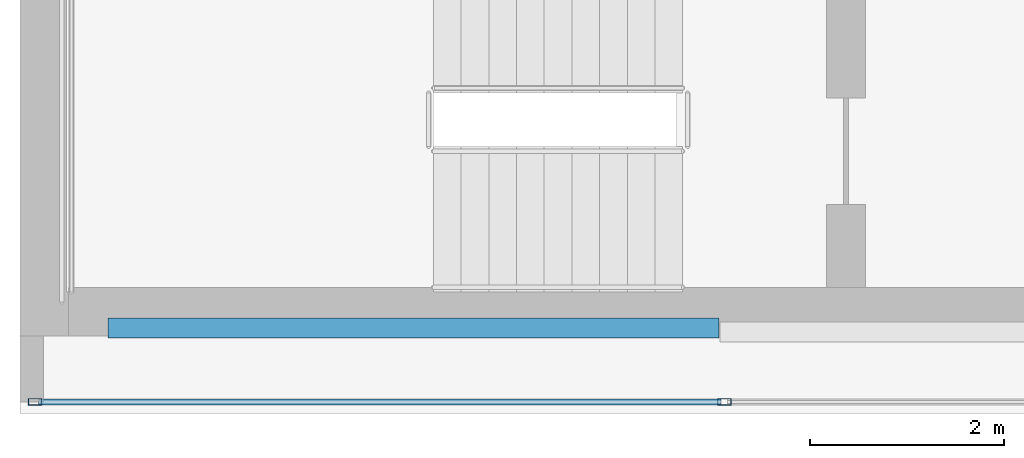
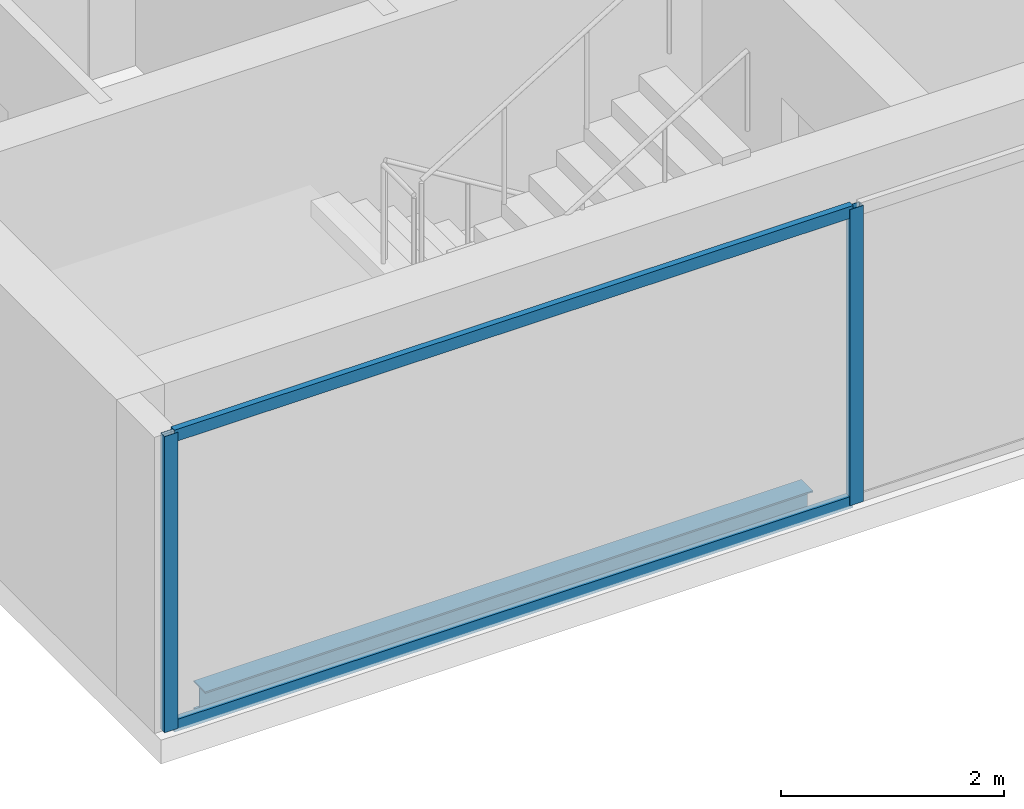
# One storey, part 2 of 23: 4 members, 1 beam, 1 element without a shape of its own.
"""IFC4 building model written with IfcOpenShell, lengths in metres."""

from ifc_helpers import new_model, si_unit, direction, frame, origin, origin_2d, place, context, subcontext, project, spatial, hollow_rectangle, i_section, extrude, material, material_profile, profile_set, type_object, element, aggregate, save


model = new_model("IFC4")

# Units and contexts
model_context = context("Model", 3, precision=1e-05, world=origin(), true_north=direction((0.0, 1.0)))
body_context = subcontext(model_context, "Body", "Model", "MODEL_VIEW")
ifc_project = project(units=[si_unit("LENGTHUNIT", "METRE"), si_unit("AREAUNIT", "SQUARE_METRE"), si_unit("VOLUMEUNIT", "CUBIC_METRE"), si_unit("PLANEANGLEUNIT", "RADIAN"), si_unit("MASSUNIT", "GRAM", prefix="KILO")], contexts=[model_context])

# Site, building, storey
site_placement = place(None, origin())
site = spatial("IfcSite", under=ifc_project, at=site_placement, CompositionType="ELEMENT")
building_placement = place(site_placement, origin())
building = spatial("IfcBuilding", under=site, at=building_placement, Name="Cobrela Telecom Tower", CompositionType="ELEMENT")
storey_placement = place(building_placement, frame((0.0, 0.0, 265.64990234375)))
storey = spatial("IfcBuildingStorey", under=building, at=storey_placement, Name="L69", CompositionType="ELEMENT", Elevation=265.64990234375)

# Beam
ifc_material_1 = material(Name="Steel ASTM A992 Grade 50", Category="steel")
ifc_material_profile_1 = material_profile(ifc_material_1, i_section(OverallWidth=0.205078125, OverallDepth=0.31005859375, WebThickness=0.009521484375, FlangeThickness=0.016357421875, FilletRadius=0.010986328125, at=origin_2d()), Name="W12X50")
ifc_profile_set_1 = profile_set([ifc_material_profile_1], Name="Steel ASTM A992 Grade 50")
beam_type = type_object("IfcBeamType", Name="BM-SPAND-07", PredefinedType="SPANDREL", material=ifc_profile_set_1)
beam_placement = place(storey_placement, frame((0.905029296875, 7.280029296875, -0.414794921875), z_axis=(1.0, 0.0, 0.0), x_axis=(0.0, 1.0, 0.0)))
element("IfcBeam", 1, at=beam_placement, inside=storey, type_object=beam_type, Name="L69 Perimeter Spandrel X01", PredefinedType="SPANDREL", context=body_context, shape_type="SweptSolid", body=[
    extrude(i_section(OverallWidth=0.205078125, OverallDepth=0.31005859375, WebThickness=0.009521484375, FlangeThickness=0.016357421875, FilletRadius=0.010986328125, at=origin_2d()), origin(), (0.0, 0.0, 1.0), 6.2900390625),
])

# Curtain wall, members
ifc_material_2 = material(Name="Anodized Bronze Aluminium 6063-T6", Category="aluminium")
curtain_wall_type = type_object("IfcCurtainWallType", Name="CW-SYS-OFF-HI", PredefinedType="USERDEFINED", material=ifc_material_2)
curtain_wall_placement = place(storey_placement, origin())
curtain_wall = element("IfcCurtainWall", 2, at=curtain_wall_placement, inside=storey, type_object=curtain_wall_type, Name="L69 Unitised Bronze Curtain Wall 15", ObjectType="UNITISED CURTAIN WALL", PredefinedType="USERDEFINED")
ifc_material_profile_2 = material_profile(ifc_material_2, hollow_rectangle(XDim=0.070068359375, YDim=0.139892578125, WallThickness=0.00390625, at=origin_2d()), Name="ALU 70x140x4")
ifc_profile_set_2 = profile_set([ifc_material_profile_2], Name="Anodized Bronze Aluminium 6063-T6")
member_type_1 = type_object("IfcMemberType", Name="CW-SYS-OFF-HI-MUL", PredefinedType="MULLION", material=ifc_profile_set_2)
member_1_placement = place(storey_placement, frame((7.248291015625, 6.52001953125, 0.0), z_axis=(0.0, 0.0, 1.0), x_axis=(0.0, -1.0, 0.0)))
member_1 = element("IfcMember", 3, at=member_1_placement, type_object=member_type_1, Name="CW-OFF-HI mullion 6", PredefinedType="MULLION", context=body_context, shape_type="SweptSolid", body=[
    extrude(hollow_rectangle(XDim=0.070068359375, YDim=0.139892578125, WallThickness=0.00390625, at=origin_2d()), origin(), (0.0, 0.0, 1.0), 3.239990234375),
])
member_2_placement = place(storey_placement, frame((0.155029296875, 6.52001953125, 0.0), z_axis=(0.0, 0.0, 1.0), x_axis=(0.0, -1.0, 0.0)))
member_2 = element("IfcMember", 4, at=member_2_placement, type_object=member_type_1, Name="CW-OFF-HI mullion 7", PredefinedType="MULLION", context=body_context, shape_type="SweptSolid", body=[
    extrude(hollow_rectangle(XDim=0.070068359375, YDim=0.139892578125, WallThickness=0.00390625, at=origin_2d()), origin(), (0.0, 0.0, 1.0), 3.239990234375),
])
ifc_material_profile_3 = material_profile(ifc_material_2, hollow_rectangle(XDim=0.06494140625, YDim=0.1298828125, WallThickness=0.00390625, at=origin_2d()), Name="ALU 65x130x4")
ifc_profile_set_3 = profile_set([ifc_material_profile_3], Name="Anodized Bronze Aluminium 6063-T6")
member_type_2 = type_object("IfcMemberType", Name="CW-SYS-OFF-HI-TRN", PredefinedType="USERDEFINED", material=ifc_profile_set_3)
member_3_placement = place(storey_placement, frame((7.21337890625, 6.52001953125, 0.03271484375), z_axis=(-1.0, 0.0, 0.0), x_axis=(0.0, -1.0, 0.0)))
member_3 = element("IfcMember", 5, at=member_3_placement, type_object=member_type_2, Name="CW-OFF-HI transom 6.1", ObjectType="TRANSOM", PredefinedType="USERDEFINED", context=body_context, shape_type="SweptSolid", body=[
    extrude(hollow_rectangle(XDim=0.06494140625, YDim=0.1298828125, WallThickness=0.00390625, at=origin_2d()), origin(), (0.0, 0.0, 1.0), 7.0234375),
])
member_4_placement = place(storey_placement, frame((7.21337890625, 6.52001953125, 3.20751953125), z_axis=(-1.0, 0.0, 0.0), x_axis=(0.0, -1.0, 0.0)))
member_4 = element("IfcMember", 6, at=member_4_placement, type_object=member_type_2, Name="CW-OFF-HI transom 6.2", ObjectType="TRANSOM", PredefinedType="USERDEFINED", context=body_context, shape_type="SweptSolid", body=[
    extrude(hollow_rectangle(XDim=0.06494140625, YDim=0.1298828125, WallThickness=0.00390625, at=origin_2d()), origin(), (0.0, 0.0, 1.0), 7.0234375),
])
aggregate(curtain_wall, [member_1, member_2, member_3, member_4])

save(model, "model.ifc")
